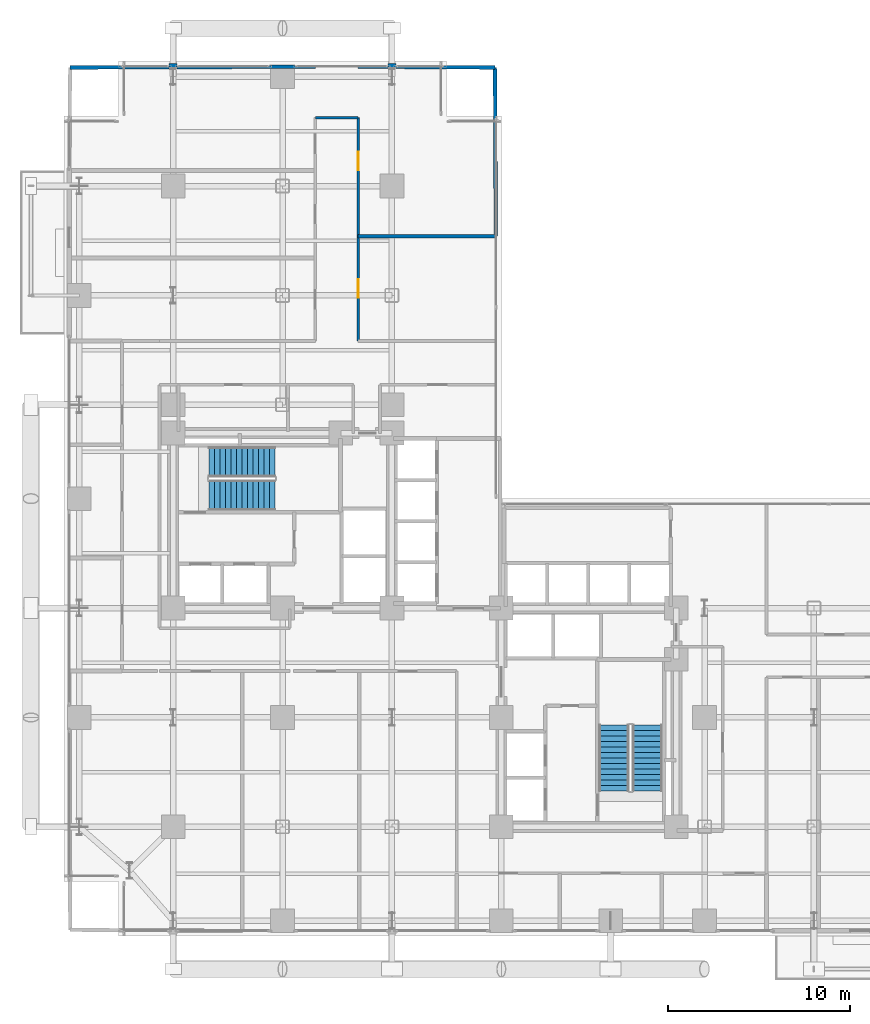
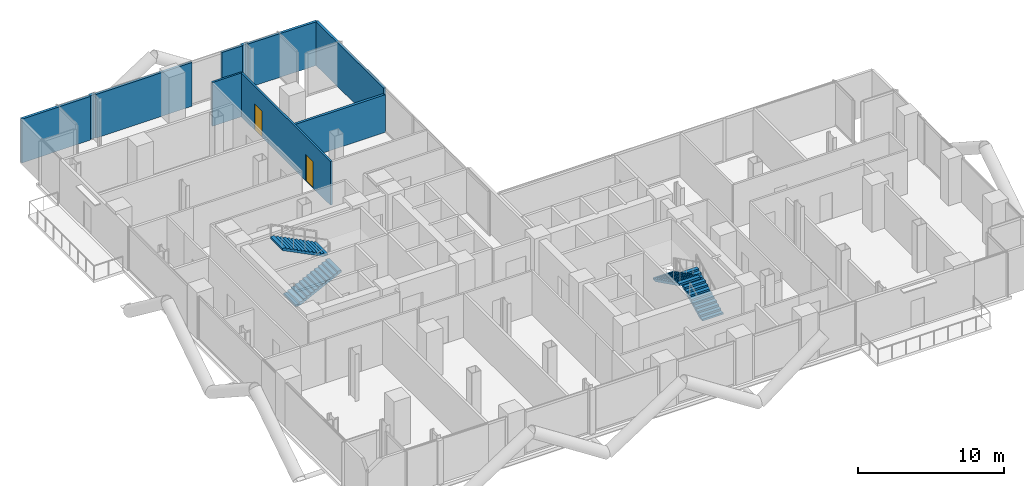
# One storey, part 24 of 27: 10 walls, 4 stair flights, 2 doors, 2 openings, 2 elements without a shape of their own.
"""IFC4 building model written with IfcOpenShell, lengths in metres."""

from ifc_helpers import new_model, si_unit, direction, frame, frame_2d, origin, place, context, subcontext, project, spatial, polyline, rectangle, outline, extrude, material, layer, layer_set, type_object, element, fill, aggregate, save


model = new_model("IFC4")

# Units and contexts
model_context = context("Model", 3, precision=1e-05, world=origin(), true_north=direction((0.0, 1.0)))
body_context = subcontext(model_context, "Body", "Model", "MODEL_VIEW")
ifc_project = project(units=[si_unit("LENGTHUNIT", "METRE"), si_unit("AREAUNIT", "SQUARE_METRE"), si_unit("VOLUMEUNIT", "CUBIC_METRE"), si_unit("PLANEANGLEUNIT", "RADIAN"), si_unit("MASSUNIT", "GRAM", prefix="KILO"), si_unit("THERMODYNAMICTEMPERATUREUNIT", "KELVIN"), si_unit("POWERUNIT", "WATT")], contexts=[model_context])

# Site, building, storey
site_placement = place(None, origin())
site = spatial("IfcSite", under=ifc_project, at=site_placement, CompositionType="ELEMENT")
building_placement = place(site_placement, origin())
building = spatial("IfcBuilding", under=site, at=building_placement, Name="Svarakhadi Broadcast Tower", CompositionType="ELEMENT")
storey_placement = place(building_placement, frame((0.0, 0.0, 71.39990234375)))
storey = spatial("IfcBuildingStorey", under=building, at=storey_placement, Name="L16", CompositionType="ELEMENT", Elevation=71.39990234375)

# Walls
ifc_material_1 = material(Name="Double-Stud Acoustic Studio Partition STC-62", Category="gypsum")
ifc_layer_1 = layer(ifc_material_1, 0.199951171875)
ifc_layer_set_1 = layer_set([ifc_layer_1], Name="Double-Stud Acoustic Studio Partition STC-62")
wall_type_1 = type_object("IfcWallType", Name="Wall_Acoust_200", PredefinedType="PARTITIONING", material=ifc_layer_set_1)
wall_1_placement = place(storey_placement, frame((0.35009765625, 47.64990234375, 0.0), z_axis=(0.0, 0.0, 1.0), x_axis=(0.99999304924, 0.003728467862, 0.0)))
element("IfcWall", 1, at=wall_1_placement, inside=storey, type_object=wall_type_1, Name="L16 Crew Locker Store Wall", PredefinedType="PARTITIONING", context=body_context, shape_type="SweptSolid", body=[
    extrude(rectangle(XDim=5.434814453125, YDim=0.199951171875, at=frame_2d((2.71728515625, 0.0))), origin(), (0.0, 0.0, 1.0), 3.650146484375),
])
wall_2_placement = place(storey_placement, frame((6.215087890625, 47.671875, 0.0), z_axis=(0.0, 0.0, 1.0), x_axis=(0.999993149305, 0.003701532515, 0.0)))
element("IfcWall", 2, at=wall_2_placement, inside=storey, type_object=wall_type_1, Name="L16 Crew Locker Store Wall", PredefinedType="PARTITIONING", context=body_context, shape_type="SweptSolid", body=[
    extrude(rectangle(XDim=7.5849609375, YDim=0.199951171875, at=frame_2d((3.79248046875, 0.0))), origin(), (0.0, 0.0, 1.0), 3.650146484375),
])
wall_3_placement = place(storey_placement, frame((16.14990234375, 38.39990234375, 0.0), z_axis=(0.0, 0.0, 1.0), x_axis=(1.0, 0.0, 0.0)))
element("IfcWall", 3, at=wall_3_placement, inside=storey, type_object=wall_type_1, Name="L16 Mindfulness and Yoga Studio Wall", PredefinedType="PARTITIONING", context=body_context, shape_type="SweptSolid", body=[
    extrude(rectangle(XDim=7.550048828125, YDim=0.199951171875, at=frame_2d((3.77490234375, 0.0))), origin(), (0.0, 0.0, 1.0), 3.14208984375),
])
wall_4_placement = place(storey_placement, frame((16.14990234375, 47.699951171875, 0.0), z_axis=(0.0, 0.0, 1.0), x_axis=(0.999978417552, -0.006569964219, 0.0)))
element("IfcWall", 4, at=wall_4_placement, inside=storey, type_object=wall_type_1, Name="L16 Staff Shower Room Wall", PredefinedType="PARTITIONING", context=body_context, shape_type="SweptSolid", body=[
    extrude(rectangle(XDim=1.635009765625, YDim=0.199951171875, at=frame_2d((0.8173828125, 0.0))), origin(), (0.0, 0.0, 1.0), 3.650146484375),
])
wall_5_placement = place(storey_placement, frame((18.215087890625, 47.686279296875, 0.0), z_axis=(0.0, 0.0, 1.0), x_axis=(0.999977600485, -0.006693170229, 0.0)))
element("IfcWall", 5, at=wall_5_placement, inside=storey, type_object=wall_type_1, Name="L16 Staff Shower Room Wall", PredefinedType="PARTITIONING", context=body_context, shape_type="SweptSolid", body=[
    extrude(rectangle(XDim=5.434814453125, YDim=0.199951171875, at=frame_2d((2.71728515625, 0.0))), origin(), (0.0, 0.0, 1.0), 3.650146484375),
])
wall_6_placement = place(storey_placement, frame((23.699951171875, 38.39990234375, 0.0), z_axis=(0.0, 0.0, 1.0), x_axis=(-0.005410604923, 0.99998536257, 0.0)))
element("IfcWall", 6, at=wall_6_placement, inside=storey, type_object=wall_type_1, Name="L16 Staff Shower Room Wall", PredefinedType="PARTITIONING", context=body_context, shape_type="SweptSolid", body=[
    extrude(rectangle(XDim=9.250244140625, YDim=0.199951171875, at=frame_2d((4.625, 0.0))), origin(), (0.0, 0.0, 1.0), 3.650146484375),
])
ifc_material_2 = material(Name="Concrete C40/50 (IS 456 M50)", Category="concrete")
ifc_layer_2 = layer(ifc_material_2, 0.239990234375)
ifc_layer_set_2 = layer_set([ifc_layer_2], Name="Concrete C40/50 (IS 456 M50)")
wall_type_2 = type_object("IfcWallType", Name="Wall_Ext_240", PredefinedType="SOLIDWALL", material=ifc_layer_set_2)
for number, where, z_axis, x_axis, name in (
    (7, (5.784912109375, 47.760009765625, 0.0), (0.0, 0.0, 1.0), (1.0, 0.0, 0.0), "L16 Perimeter Bronze Spandrel Closure Wall 01"),
    (8, (17.784912109375, 47.760009765625, 0.0), (0.0, 0.0, 1.0), (1.0, 0.0, 0.0), "L16 Perimeter Bronze Spandrel Closure Wall 02"),
):
    element("IfcWall", number, at=place(storey_placement, frame(where, z_axis=z_axis, x_axis=x_axis)), inside=storey, type_object=wall_type_2, Name=name, PredefinedType="SOLIDWALL", context=body_context, shape_type="SweptSolid", body=[
        extrude(rectangle(XDim=0.43017578125, YDim=0.239990234375, at=frame_2d((0.215087890625, 0.0))), origin(), (0.0, 0.0, 1.0), 3.650146484375),
    ])
ifc_material_3 = material(Name="Autoclaved Aerated Concrete Blockwork 150 mm", Category="masonry")
ifc_layer_3 = layer(ifc_material_3, 0.14990234375)
ifc_layer_set_3 = layer_set([ifc_layer_3], Name="Autoclaved Aerated Concrete Blockwork 150 mm")
wall_type_3 = type_object("IfcWallType", Name="Wall_Part_150", PredefinedType="PARTITIONING", material=ifc_layer_set_3)
wall_7_placement = place(storey_placement, frame((13.800048828125, 44.89990234375, 0.0), z_axis=(0.0, 0.0, 1.0), x_axis=(1.0, 0.0, 0.0)))
element("IfcWall", 9, at=wall_7_placement, inside=storey, type_object=wall_type_3, Name="L16 Broadcast Corridor Wall", PredefinedType="PARTITIONING", context=body_context, shape_type="SweptSolid", body=[
    extrude(rectangle(XDim=2.349853515625, YDim=0.14990234375, at=frame_2d((1.1748046875, 0.0))), origin(), (0.0, 0.0, 1.0), 3.650146484375),
])

# Wall, openings, doors
wall_8_placement = place(storey_placement, frame((16.14990234375, 44.89990234375, 0.0), z_axis=(0.0, 0.0, 1.0), x_axis=(0.0, -1.0, 0.0)))
wall_8 = element("IfcWall", 10, at=wall_8_placement, inside=storey, type_object=wall_type_3, Name="L16 Broadcast Corridor Wall", PredefinedType="PARTITIONING", context=body_context, shape_type="SweptSolid", body=[
    extrude(rectangle(XDim=12.25, YDim=0.14990234375, at=frame_2d((6.125, 0.0))), origin(), (0.0, 0.0, 1.0), 3.650146484375),
])
opening_1_placement = place(wall_8_placement, frame((8.875, 0.0, 0.0)))
opening_1 = element("IfcOpeningElement", 11, at=opening_1_placement, cuts=wall_8, Name="Opening D-08", PredefinedType="OPENING", context=body_context, shape_type="SweptSolid", body=[
    extrude(rectangle(XDim=1.0, YDim=2.199951171875, at=frame_2d((0.5, 1.10009765625))), frame((0.0, 0.0849609375, 0.0), z_axis=(0.0, -1.0, 0.0), x_axis=(1.0, 0.0, 0.0)), (0.0, 0.0, 1.0), 0.169921875),
])
opening_2_placement = place(wall_8_placement, frame((1.8798828125, 0.0, 0.0)))
opening_2 = element("IfcOpeningElement", 12, at=opening_2_placement, cuts=wall_8, Name="Opening D-09", PredefinedType="OPENING", context=body_context, shape_type="SweptSolid", body=[
    extrude(rectangle(XDim=1.0, YDim=2.199951171875, at=frame_2d((0.5, 1.10009765625))), frame((0.0, 0.0849609375, 0.0), z_axis=(0.0, -1.0, 0.0), x_axis=(1.0, 0.0, 0.0)), (0.0, 0.0, 1.0), 0.169921875),
])
ifc_material_4 = material(Name="Solid-Core Teak Veneer Acoustic Timber Leaf", Category="wood")
door_type_1 = type_object("IfcDoorType", Name="Door_Suite_D08", OperationType="SINGLE_SWING_LEFT", PredefinedType="DOOR", material=ifc_material_4)
door_1_placement = place(opening_1_placement, origin())
door_1 = element("IfcDoor", 13, at=door_1_placement, inside=storey, type_object=door_type_1, Name="L16 Mindfulness and Yoga Studio Door", OperationType="SINGLE_SWING_LEFT", OverallHeight=2.199951171875, OverallWidth=1.0, PredefinedType="DOOR", context=body_context, shape_type="SweptSolid", body=[
    extrude(rectangle(XDim=1.0, YDim=2.199951171875, at=frame_2d((0.5, 1.10009765625))), frame((0.0, 0.02490234375, 0.0), z_axis=(0.0, -1.0, 0.0), x_axis=(1.0, 0.0, 0.0)), (0.0, 0.0, 1.0), 0.050048828125),
])
fill(opening_1, door_1)
door_type_2 = type_object("IfcDoorType", Name="Door_Suite_D09", OperationType="SINGLE_SWING_RIGHT", PredefinedType="DOOR", material=ifc_material_4)
door_2_placement = place(opening_2_placement, origin())
door_2 = element("IfcDoor", 14, at=door_2_placement, inside=storey, type_object=door_type_2, Name="L16 Staff Shower Room Door", OperationType="SINGLE_SWING_RIGHT", OverallHeight=2.199951171875, OverallWidth=1.0, PredefinedType="DOOR", context=body_context, shape_type="SweptSolid", body=[
    extrude(rectangle(XDim=1.0, YDim=2.199951171875, at=frame_2d((0.5, 1.10009765625))), frame((0.0, 0.02490234375, 0.0), z_axis=(0.0, -1.0, 0.0), x_axis=(1.0, 0.0, 0.0)), (0.0, 0.0, 1.0), 0.050048828125),
])
fill(opening_2, door_2)

# Stair, stair flights
stair_type = type_object("IfcStairType", Name="Stair_Exit_Core", PredefinedType="HALF_TURN_STAIR", material=ifc_material_2)
stair_1_placement = place(storey_placement, origin())
stair_1 = element("IfcStair", 15, at=stair_1_placement, inside=storey, type_object=stair_type, Name="L16 West Core Protected Exit Stair ST-01", PredefinedType="HALF_TURN_STAIR")
stair_flight_type = type_object("IfcStairFlightType", Name="Flight_RC_1680", PredefinedType="STRAIGHT", material=ifc_material_2)
stair_flight_1_placement = place(storey_placement, frame((7.97998046875, 24.18994140625, 0.0), z_axis=(0.0, 0.0, 1.0), x_axis=(1.0, 0.0, 0.0)))
stair_flight_1 = element("IfcStairFlight", 16, at=stair_flight_1_placement, type_object=stair_flight_type, Name="ST-01 flight 1", NumberOfRisers=13, NumberOfTreads=12, PredefinedType="STRAIGHT", RiserHeight=0.15, TreadLength=0.3, context=body_context, shape_type="SweptSolid", body=[
    extrude(outline(polyline([(0.0, 0.0), (0.0, 0.14990234375), (0.300048828125, 0.14990234375), (0.300048828125, 0.300048828125), (0.60009765625, 0.300048828125), (0.60009765625, 0.449951171875), (0.89990234375, 0.449951171875), (0.89990234375, 0.60009765625), (1.199951171875, 0.60009765625), (1.199951171875, 0.75), (1.5, 0.75), (1.5, 0.89990234375), (1.800048828125, 0.89990234375), (1.800048828125, 1.050048828125), (2.10009765625, 1.050048828125), (2.10009765625, 1.199951171875), (2.39990234375, 1.199951171875), (2.39990234375, 1.35009765625), (2.699951171875, 1.35009765625), (2.699951171875, 1.5), (3.0, 1.5), (3.0, 1.64990234375), (3.300048828125, 1.64990234375), (3.300048828125, 1.800048828125), (3.60009765625, 1.800048828125), (3.60009765625, 1.949951171875), (3.60009765625, 1.63232421875), (0.335205078125, 0.0), (0.0, 0.0)])), frame((0.0, 0.830078125, 0.0), z_axis=(0.0, -1.0, 0.0), x_axis=(1.0, 0.0, 0.0)), (0.0, 0.0, 1.0), 1.659912109375),
])
stair_flight_2_placement = place(storey_placement, frame((11.580078125, 26.010009765625, 1.9501953125), z_axis=(0.0, 0.0, 1.0), x_axis=(-1.0, 0.0, 0.0)))
stair_flight_2 = element("IfcStairFlight", 17, at=stair_flight_2_placement, type_object=stair_flight_type, Name="ST-01 flight 2", NumberOfRisers=13, NumberOfTreads=12, PredefinedType="STRAIGHT", RiserHeight=0.15, TreadLength=0.3, context=body_context, shape_type="SweptSolid", body=[
    extrude(outline(polyline([(0.0, 0.0), (0.0, 0.14990234375), (0.300048828125, 0.14990234375), (0.300048828125, 0.300048828125), (0.60009765625, 0.300048828125), (0.60009765625, 0.449951171875), (0.89990234375, 0.449951171875), (0.89990234375, 0.60009765625), (1.199951171875, 0.60009765625), (1.199951171875, 0.75), (1.5, 0.75), (1.5, 0.89990234375), (1.800048828125, 0.89990234375), (1.800048828125, 1.050048828125), (2.10009765625, 1.050048828125), (2.10009765625, 1.199951171875), (2.39990234375, 1.199951171875), (2.39990234375, 1.35009765625), (2.699951171875, 1.35009765625), (2.699951171875, 1.5), (3.0, 1.5), (3.0, 1.64990234375), (3.300048828125, 1.64990234375), (3.300048828125, 1.800048828125), (3.60009765625, 1.800048828125), (3.60009765625, 1.949951171875), (3.60009765625, 1.63232421875), (0.335205078125, 0.0), (0.0, 0.0)])), frame((0.0, 0.830078125, 0.0), z_axis=(0.0, -1.0, 0.0), x_axis=(1.0, 0.0, 0.0)), (0.0, 0.0, 1.0), 1.659912109375),
])
aggregate(stair_1, [stair_flight_1, stair_flight_2])

stair_2_placement = place(storey_placement, origin())
stair_2 = element("IfcStair", 18, at=stair_2_placement, inside=storey, type_object=stair_type, Name="L16 East Core Protected Exit Stair ST-02", PredefinedType="HALF_TURN_STAIR")
stair_flight_3_placement = place(storey_placement, frame((32.010009765625, 7.97998046875, 0.0), z_axis=(0.0, 0.0, 1.0), x_axis=(0.0, 1.0, 0.0)))
stair_flight_3 = element("IfcStairFlight", 19, at=stair_flight_3_placement, type_object=stair_flight_type, Name="ST-02 flight 1", NumberOfRisers=13, NumberOfTreads=12, PredefinedType="STRAIGHT", RiserHeight=0.15, TreadLength=0.3, context=body_context, shape_type="SweptSolid", body=[
    extrude(outline(polyline([(0.0, 0.0), (0.0, 0.14990234375), (0.300048828125, 0.14990234375), (0.300048828125, 0.300048828125), (0.60009765625, 0.300048828125), (0.60009765625, 0.449951171875), (0.89990234375, 0.449951171875), (0.89990234375, 0.60009765625), (1.199951171875, 0.60009765625), (1.199951171875, 0.75), (1.5, 0.75), (1.5, 0.89990234375), (1.800048828125, 0.89990234375), (1.800048828125, 1.050048828125), (2.10009765625, 1.050048828125), (2.10009765625, 1.199951171875), (2.39990234375, 1.199951171875), (2.39990234375, 1.35009765625), (2.699951171875, 1.35009765625), (2.699951171875, 1.5), (3.0, 1.5), (3.0, 1.64990234375), (3.300048828125, 1.64990234375), (3.300048828125, 1.800048828125), (3.60009765625, 1.800048828125), (3.60009765625, 1.949951171875), (3.60009765625, 1.63232421875), (0.335205078125, 0.0), (0.0, 0.0)])), frame((0.0, 0.830078125, 0.0), z_axis=(0.0, -1.0, 0.0), x_axis=(1.0, 0.0, 0.0)), (0.0, 0.0, 1.0), 1.659912109375),
])
stair_flight_4_placement = place(storey_placement, frame((30.18994140625, 11.580078125, 1.9501953125), z_axis=(0.0, 0.0, 1.0), x_axis=(0.0, -1.0, 0.0)))
stair_flight_4 = element("IfcStairFlight", 20, at=stair_flight_4_placement, type_object=stair_flight_type, Name="ST-02 flight 2", NumberOfRisers=13, NumberOfTreads=12, PredefinedType="STRAIGHT", RiserHeight=0.15, TreadLength=0.3, context=body_context, shape_type="SweptSolid", body=[
    extrude(outline(polyline([(0.0, 0.0), (0.0, 0.14990234375), (0.300048828125, 0.14990234375), (0.300048828125, 0.300048828125), (0.60009765625, 0.300048828125), (0.60009765625, 0.449951171875), (0.89990234375, 0.449951171875), (0.89990234375, 0.60009765625), (1.199951171875, 0.60009765625), (1.199951171875, 0.75), (1.5, 0.75), (1.5, 0.89990234375), (1.800048828125, 0.89990234375), (1.800048828125, 1.050048828125), (2.10009765625, 1.050048828125), (2.10009765625, 1.199951171875), (2.39990234375, 1.199951171875), (2.39990234375, 1.35009765625), (2.699951171875, 1.35009765625), (2.699951171875, 1.5), (3.0, 1.5), (3.0, 1.64990234375), (3.300048828125, 1.64990234375), (3.300048828125, 1.800048828125), (3.60009765625, 1.800048828125), (3.60009765625, 1.949951171875), (3.60009765625, 1.63232421875), (0.335205078125, 0.0), (0.0, 0.0)])), frame((0.0, 0.830078125, 0.0), z_axis=(0.0, -1.0, 0.0), x_axis=(1.0, 0.0, 0.0)), (0.0, 0.0, 1.0), 1.659912109375),
])
aggregate(stair_2, [stair_flight_3, stair_flight_4])

save(model, "model.ifc")
